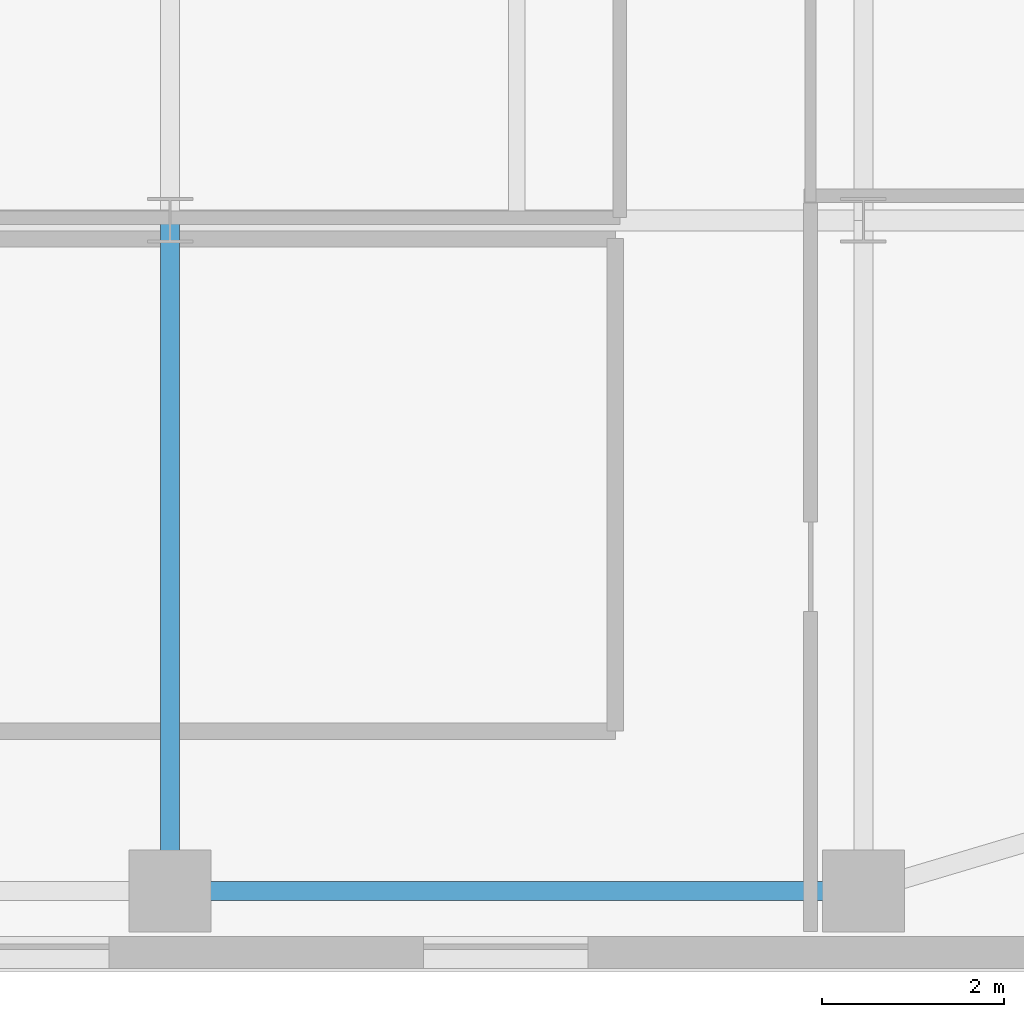
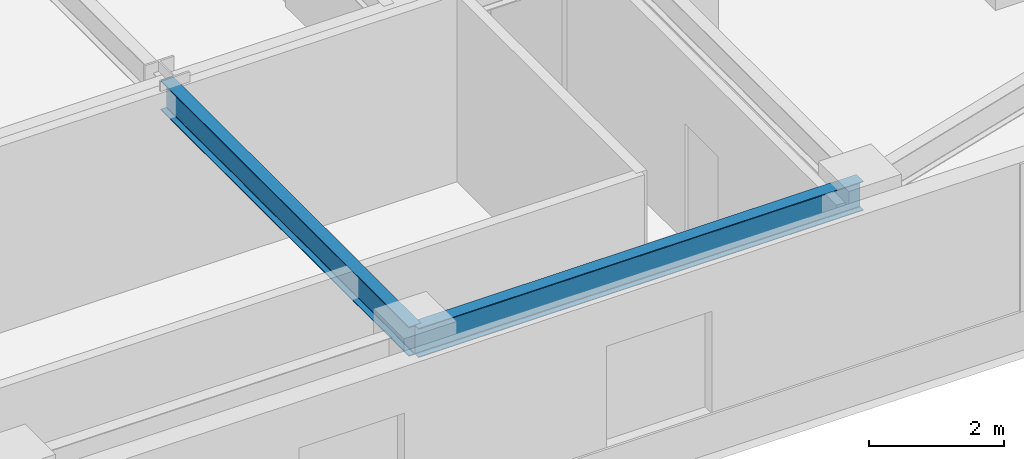
# One storey, part 9 of 31: 2 beams.
"""IFC4 building model written with IfcOpenShell, lengths in metres."""

from ifc_helpers import new_model, si_unit, direction, frame, origin, origin_2d, place, context, subcontext, project, spatial, i_section, extrude, source, transform, mapped, material, material_profile, profile_set, type_object, type_shapes, element, save


model = new_model("IFC4")

# Units and contexts
model_context = context("Model", 3, precision=1e-05, world=origin(), true_north=direction((0.0, 1.0)))
body_context = subcontext(model_context, "Body", "Model", "MODEL_VIEW")
ifc_project = project(units=[si_unit("LENGTHUNIT", "METRE"), si_unit("AREAUNIT", "SQUARE_METRE"), si_unit("VOLUMEUNIT", "CUBIC_METRE"), si_unit("PLANEANGLEUNIT", "RADIAN"), si_unit("MASSUNIT", "GRAM", prefix="KILO")], contexts=[model_context])

# Site, building, storey
site_placement = place(None, origin())
site = spatial("IfcSite", under=ifc_project, at=site_placement, CompositionType="ELEMENT")
building_placement = place(site_placement, origin())
building = spatial("IfcBuilding", under=site, at=building_placement, Name="Tolvann Quenvar Hotel", CompositionType="ELEMENT")
storey_placement = place(building_placement, frame((0.0, 0.0, 125.75)))
storey = spatial("IfcBuildingStorey", under=building, at=storey_placement, Name="L32", CompositionType="ELEMENT", Elevation=125.75)

# Beams
ifc_material = material(Name="Steel Grade 350", Category="steel")
ifc_material_profile_1 = material_profile(ifc_material, i_section(OverallWidth=0.208984375, OverallDepth=0.528076171875, WebThickness=0.009521484375, FlangeThickness=0.01318359375, FilletRadius=0.013916015625, at=origin_2d()), Name="530UB82")
ifc_profile_set_1 = profile_set([ifc_material_profile_1], Name="Steel Grade 350")
beam_type_1 = type_object("IfcBeamType", Name="BM_SPAND_530UB82", PredefinedType="SPANDREL", material=ifc_profile_set_1)
shared_shape_1 = source(origin(), body_context, "Body", "SweptSolid", [
    extrude(i_section(OverallWidth=0.208984375, OverallDepth=0.528076171875, WebThickness=0.009521484375, FlangeThickness=0.01318359375, FilletRadius=0.013916015625, at=origin_2d()), origin(), (0.0, 0.0, 1.0), 7.599853515625),
])
type_shapes(beam_type_1, [shared_shape_1])
beam_1_placement = place(storey_placement, frame((41.800048828125, 0.85009765625, 3.10595703125), z_axis=(1.0, 0.0, 0.0), x_axis=(0.0, 1.0, 0.0)))
element("IfcBeam", 1, at=beam_1_placement, inside=storey, type_object=beam_type_1, Name="BM-L32-EW-2-H2-I2", PredefinedType="SPANDREL", context=body_context, shape_type="MappedRepresentation", body=[
    mapped(shared_shape_1, transform((0.0, 0.0, 0.0), x_axis=(1.0, 0.0, 0.0), y_axis=(0.0, 1.0, 0.0), z_axis=(0.0, 0.0, 1.0), scale=1.0)),
])
ifc_material_profile_2 = material_profile(ifc_material, i_section(OverallWidth=0.208984375, OverallDepth=0.532958984375, WebThickness=0.01025390625, FlangeThickness=0.015625, FilletRadius=0.013916015625, at=origin_2d()), Name="530UB92")
ifc_profile_set_2 = profile_set([ifc_material_profile_2], Name="Steel Grade 350")
beam_type_2 = type_object("IfcBeamType", Name="BM_GIRD_530UB92", PredefinedType="BEAM", material=ifc_profile_set_2)
shared_shape_2 = source(origin(), body_context, "Body", "SweptSolid", [
    extrude(i_section(OverallWidth=0.208984375, OverallDepth=0.532958984375, WebThickness=0.01025390625, FlangeThickness=0.015625, FilletRadius=0.013916015625, at=origin_2d()), origin(), (0.0, 0.0, 1.0), 7.349853515625),
])
type_shapes(beam_type_2, [shared_shape_2])
beam_2_placement = place(storey_placement, frame((41.800048828125, 0.85009765625, 3.103515625), z_axis=(0.0, 1.0, 0.0), x_axis=(-1.0, 0.0, 0.0)))
element("IfcBeam", 2, at=beam_2_placement, inside=storey, type_object=beam_type_2, Name="BM-L32-NS-H2-H3", PredefinedType="BEAM", context=body_context, shape_type="MappedRepresentation", body=[
    mapped(shared_shape_2, transform((0.0, 0.0, 0.0), x_axis=(1.0, 0.0, 0.0), y_axis=(0.0, 1.0, 0.0), z_axis=(0.0, 0.0, 1.0), scale=1.0)),
])

save(model, "model.ifc")
